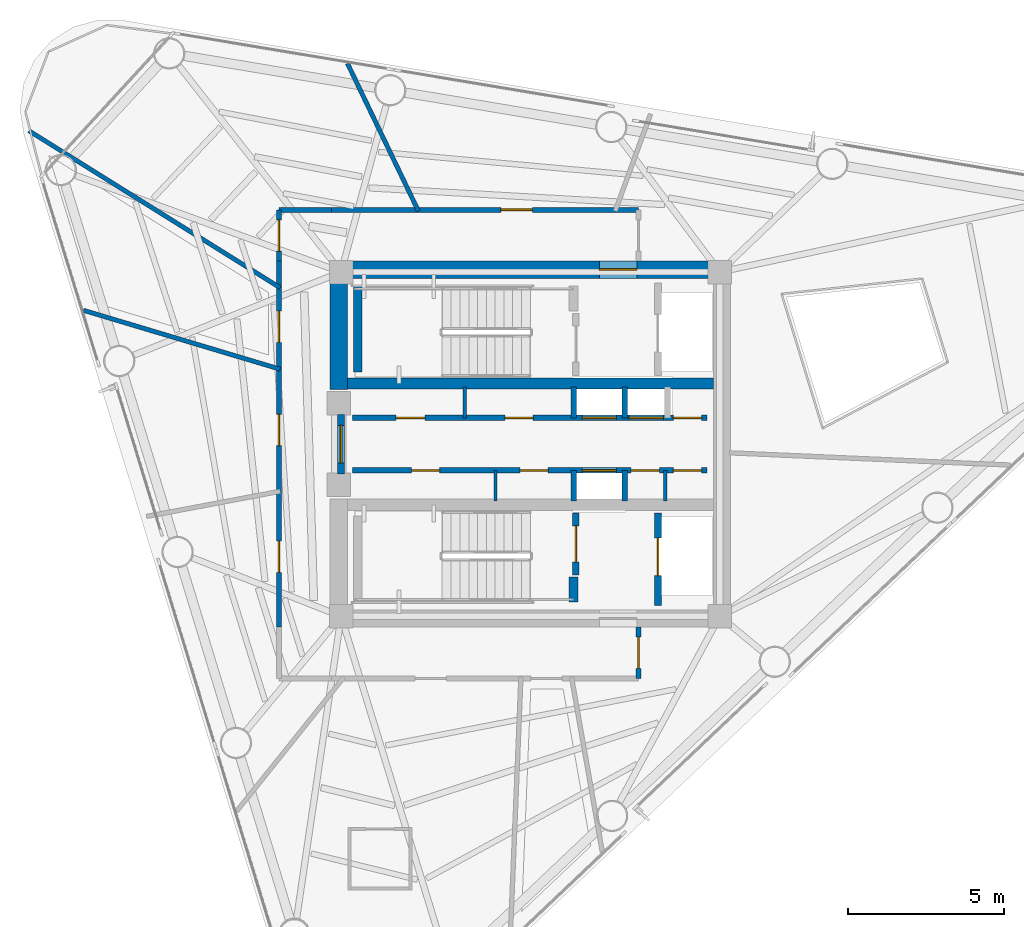
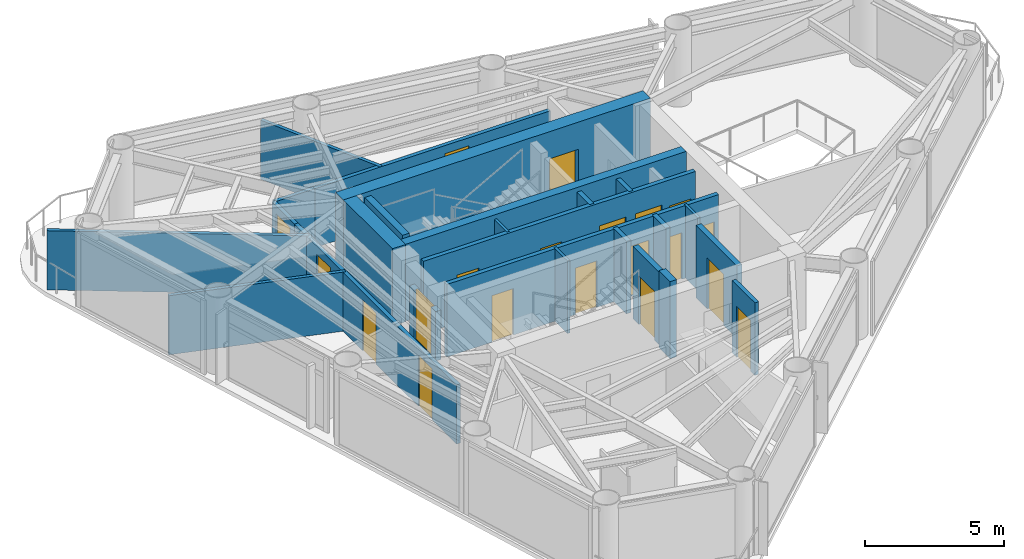
# One storey, part 5 of 9: 25 walls, 20 doors, 20 openings.
"""IFC4 building model written with IfcOpenShell, lengths in metres."""

from ifc_helpers import new_model, si_unit, direction, frame, frame_2d, origin, place, context, subcontext, project, spatial, rectangle, extrude, material, layer, layer_set, type_object, element, fill, save


model = new_model("IFC4")

# Units and contexts
model_context = context("Model", 3, precision=1e-05, world=origin(), true_north=direction((0.0, 1.0)))
body_context = subcontext(model_context, "Body", "Model", "MODEL_VIEW")
ifc_project = project(units=[si_unit("LENGTHUNIT", "METRE"), si_unit("AREAUNIT", "SQUARE_METRE"), si_unit("VOLUMEUNIT", "CUBIC_METRE"), si_unit("PLANEANGLEUNIT", "RADIAN"), si_unit("MASSUNIT", "GRAM", prefix="KILO")], contexts=[model_context])

# Site, building, storey
site_placement = place(None, origin())
site = spatial("IfcSite", under=ifc_project, at=site_placement, CompositionType="ELEMENT")
building_placement = place(site_placement, origin())
building = spatial("IfcBuilding", under=site, at=building_placement, Name="Yunling Apex Tower", CompositionType="ELEMENT")
storey_placement = place(building_placement, frame((0.0, 0.0, 245.64990234375)))
storey = spatial("IfcBuildingStorey", under=building, at=storey_placement, Name="L60", CompositionType="ELEMENT", Elevation=245.64990234375)

# Wall, opening, door
ifc_material_1 = material(Name="Concrete C40", Category="concrete")
ifc_layer_1 = layer(ifc_material_1, 0.550048828125)
ifc_layer_set_1 = layer_set([ifc_layer_1], Name="Concrete C40")
wall_type_1 = type_object("IfcWallType", Name="WL-COR-3", PredefinedType="SHEAR", material=ifc_layer_set_1)
wall_1_placement = place(storey_placement, frame((-6.39990234375, 5.574951171875, 0.0), z_axis=(0.0, 0.0, 1.0), x_axis=(1.0, 0.0, 0.0)))
wall_1 = element("IfcWall", 1, at=wall_1_placement, inside=storey, type_object=wall_type_1, Name="L60 North Core Shear Wall", PredefinedType="SHEAR", context=body_context, shape_type="SweptSolid", body=[
    extrude(rectangle(XDim=12.7998046875, YDim=0.550048828125, at=frame_2d((6.39990234375, 0.0))), origin(), (0.0, 0.0, 1.0), 3.400146484375),
])
opening_1_placement = place(wall_1_placement, frame((8.60009765625, 0.0, 0.0)))
opening_1 = element("IfcOpeningElement", 2, at=opening_1_placement, cuts=wall_1, Name="Opening DR-FFL-1", PredefinedType="OPENING", context=body_context, shape_type="SweptSolid", body=[
    extrude(rectangle(XDim=1.199951171875, YDim=2.199951171875, at=frame_2d((0.60009765625, 1.10009765625))), frame((0.0, 0.28515625, 0.0), z_axis=(0.0, -1.0, 0.0), x_axis=(1.0, 0.0, 0.0)), (0.0, 0.0, 1.0), 0.570068359375),
])
ifc_material_2 = material(Name="Steel Q355B", Category="steel")
door_type_1 = type_object("IfcDoorType", Name="DR-FFL-1", OperationType="NOTDEFINED", PredefinedType="DOOR", material=ifc_material_2)
door_1_placement = place(opening_1_placement, origin())
door_1 = element("IfcDoor", 3, at=door_1_placement, inside=storey, type_object=door_type_1, Name="L60 North Firefighting Lobby Door", OperationType="SINGLE_SWING_LEFT", OverallHeight=2.199951171875, OverallWidth=1.199951171875, PredefinedType="DOOR", context=body_context, shape_type="SweptSolid", body=[
    extrude(rectangle(XDim=1.199951171875, YDim=2.199951171875, at=frame_2d((0.60009765625, 1.10009765625))), frame((0.0, 0.02490234375, 0.0), z_axis=(0.0, -1.0, 0.0), x_axis=(1.0, 0.0, 0.0)), (0.0, 0.0, 1.0), 0.050048828125),
])
fill(opening_1, door_1)

# Walls
wall_2_placement = place(storey_placement, frame((-6.125, 1.75, 0.0), z_axis=(0.0, 0.0, 1.0), x_axis=(0.0, 1.0, 0.0)))
element("IfcWall", 4, at=wall_2_placement, inside=storey, type_object=wall_type_1, Name="L60 West-North Core Shear Wall", PredefinedType="SHEAR", context=body_context, shape_type="SweptSolid", body=[
    extrude(rectangle(XDim=3.550048828125, YDim=0.550048828125, at=frame_2d((1.77490234375, 0.0))), origin(), (0.0, 0.0, 1.0), 3.400146484375),
])
ifc_layer_2 = layer(ifc_material_1, 0.360107421875)
ifc_layer_set_2 = layer_set([ifc_layer_2], Name="Concrete C40")
wall_type_2 = type_object("IfcWallType", Name="WL-COR-4", PredefinedType="SHEAR", material=ifc_layer_set_2)
wall_3_placement = place(storey_placement, frame((-5.85009765625, 1.93994140625, 0.0), z_axis=(0.0, 0.0, 1.0), x_axis=(1.0, 0.0, 0.0)))
element("IfcWall", 5, at=wall_3_placement, inside=storey, type_object=wall_type_2, Name="L60 North Internal Core Shear Wall", PredefinedType="SHEAR", context=body_context, shape_type="SweptSolid", body=[
    extrude(rectangle(XDim=11.7001953125, YDim=0.360107421875, at=frame_2d((5.85009765625, 0.0))), origin(), (0.0, 0.0, 1.0), 3.400146484375),
])
ifc_layer_3 = layer(ifc_material_1, 0.280029296875)
ifc_layer_set_3 = layer_set([ifc_layer_3], Name="Concrete C40")
wall_type_3 = type_object("IfcWallType", Name="WL-COR-8", PredefinedType="SHEAR", material=ifc_layer_set_3)
wall_4_placement = place(storey_placement, frame((-5.52001953125, 2.300048828125, 0.0), z_axis=(0.0, 0.0, 1.0), x_axis=(0.0, 1.0, 0.0)))
element("IfcWall", 6, at=wall_4_placement, inside=storey, type_object=wall_type_3, Name="L60 ST-1 West Landing Bearing Wall", PredefinedType="SHEAR", context=body_context, shape_type="SweptSolid", body=[
    extrude(rectangle(XDim=2.75, YDim=0.280029296875, at=frame_2d((1.375, 0.0))), origin(), (0.0, 0.0, 1.0), 3.400146484375),
])
wall_5_placement = place(storey_placement, frame((1.3798828125, -5.050048828125, 0.0), z_axis=(0.0, 0.0, 1.0), x_axis=(0.0, 1.0, 0.0)))
element("IfcWall", 7, at=wall_5_placement, inside=storey, type_object=wall_type_3, Name="L60 ST-2 East Landing Bearing Pier", PredefinedType="SHEAR", context=body_context, shape_type="SweptSolid", body=[
    extrude(rectangle(XDim=0.800048828125, YDim=0.280029296875, at=frame_2d((0.39990234375, 0.0))), origin(), (0.0, 0.0, 1.0), 3.400146484375),
])

# Wall, opening, door
ifc_material_3 = material(Name="Gypsum board acoustic partition")
ifc_layer_4 = layer(ifc_material_3, 0.159912109375)
ifc_layer_set_4 = layer_set([ifc_layer_4], Name="Gypsum board acoustic partition")
wall_type_4 = type_object("IfcWallType", Name="WL-PRT-1", PredefinedType="PARTITIONING", material=ifc_layer_set_4)
wall_6_placement = place(storey_placement, frame((-8.0400390625, 5.85009765625, 0.0), z_axis=(0.0, 0.0, 1.0), x_axis=(0.0, 1.0, 0.0)))
wall_6 = element("IfcWall", 8, at=wall_6_placement, inside=storey, type_object=wall_type_4, Name="WL-CORR-L60-01", PredefinedType="PARTITIONING", context=body_context, shape_type="SweptSolid", body=[
    extrude(rectangle(XDim=1.639892578125, YDim=0.159912109375, at=frame_2d((0.81982421875, 0.0))), origin(), (0.0, 0.0, 1.0), 2.60498046875),
])
opening_2_placement = place(wall_6_placement, frame((0.320068359375, 0.0, 0.0)))
opening_2 = element("IfcOpeningElement", 9, at=opening_2_placement, cuts=wall_6, Name="Opening DR-OFF-1", PredefinedType="OPENING", context=body_context, shape_type="SweptSolid", body=[
    extrude(rectangle(XDim=1.0, YDim=2.25, at=frame_2d((0.5, 1.125))), frame((0.0, 0.08984375, 0.0), z_axis=(0.0, -1.0, 0.0), x_axis=(1.0, 0.0, 0.0)), (0.0, 0.0, 1.0), 0.179931640625),
])
ifc_material_4 = material(Name="Bronze anodised aluminium", Category="aluminium")
door_type_2 = type_object("IfcDoorType", Name="DR-OFF-1", OperationType="NOTDEFINED", PredefinedType="DOOR", material=ifc_material_4)
door_2_placement = place(opening_2_placement, origin())
door_2 = element("IfcDoor", 10, at=door_2_placement, inside=storey, type_object=door_type_2, Name="L60 Residents Quiet Study Lounge Door", OperationType="SINGLE_SWING_LEFT", OverallHeight=2.25, OverallWidth=1.0, PredefinedType="DOOR", context=body_context, shape_type="SweptSolid", body=[
    extrude(rectangle(XDim=1.0, YDim=2.25, at=frame_2d((0.5, 1.125))), frame((0.0, 0.02490234375, 0.0), z_axis=(0.0, -1.0, 0.0), x_axis=(1.0, 0.0, 0.0)), (0.0, 0.0, 1.0), 0.050048828125),
])
fill(opening_2, door_2)

# Wall
wall_7_placement = place(storey_placement, frame((-8.0400390625, 7.489990234375, 0.0), z_axis=(0.0, 0.0, 1.0), x_axis=(1.0, 0.0, 0.0)))
element("IfcWall", 11, at=wall_7_placement, inside=storey, type_object=wall_type_4, Name="WL-CORR-L60-02", PredefinedType="PARTITIONING", context=body_context, shape_type="SweptSolid", body=[
    extrude(rectangle(XDim=1.679931640625, YDim=0.159912109375, at=frame_2d((0.83984375, 0.0))), origin(), (0.0, 0.0, 1.0), 2.60498046875),
])

# Wall, opening, door
wall_8_placement = place(storey_placement, frame((-6.360107421875, 7.489990234375, 0.0), z_axis=(0.0, 0.0, 1.0), x_axis=(1.0, 0.0, 0.0)))
wall_8 = element("IfcWall", 12, at=wall_8_placement, inside=storey, type_object=wall_type_4, Name="WL-CORR-L60-03", PredefinedType="PARTITIONING", context=body_context, shape_type="SweptSolid", body=[
    extrude(rectangle(XDim=9.81005859375, YDim=0.159912109375, at=frame_2d((4.905029296875, 0.0))), origin(), (0.0, 0.0, 1.0), 2.60498046875),
])
opening_3_placement = place(wall_8_placement, frame((5.4189453125, 0.0, 0.0)))
opening_3 = element("IfcOpeningElement", 13, at=opening_3_placement, cuts=wall_8, Name="Opening DR-OFF-1", PredefinedType="OPENING", context=body_context, shape_type="SweptSolid", body=[
    extrude(rectangle(XDim=1.0, YDim=2.25, at=frame_2d((0.5, 1.125))), frame((0.0, 0.08984375, 0.0), z_axis=(0.0, -1.0, 0.0), x_axis=(1.0, 0.0, 0.0)), (0.0, 0.0, 1.0), 0.179931640625),
])
door_3_placement = place(opening_3_placement, origin())
door_3 = element("IfcDoor", 14, at=door_3_placement, inside=storey, type_object=door_type_2, Name="L60 Concierge Reception Foyer Door", OperationType="SINGLE_SWING_RIGHT", OverallHeight=2.25, OverallWidth=1.0, PredefinedType="DOOR", context=body_context, shape_type="SweptSolid", body=[
    extrude(rectangle(XDim=1.0, YDim=2.25, at=frame_2d((0.5, 1.125))), frame((0.0, 0.02490234375, 0.0), z_axis=(0.0, -1.0, 0.0), x_axis=(1.0, 0.0, 0.0)), (0.0, 0.0, 1.0), 0.050048828125),
])
fill(opening_3, door_3)

wall_9_placement = place(storey_placement, frame((3.449951171875, -5.85009765625, 0.0), z_axis=(0.0, 0.0, 1.0), x_axis=(0.0, -1.0, 0.0)))
wall_9 = element("IfcWall", 15, at=wall_9_placement, inside=storey, type_object=wall_type_4, Name="WL-CORR-L60-05", PredefinedType="PARTITIONING", context=body_context, shape_type="SweptSolid", body=[
    extrude(rectangle(XDim=1.639892578125, YDim=0.159912109375, at=frame_2d((0.81982421875, 0.0))), origin(), (0.0, 0.0, 1.0), 3.2001953125),
])
opening_4_placement = place(wall_9_placement, frame((0.320068359375, 0.0, 0.0)))
opening_4 = element("IfcOpeningElement", 16, at=opening_4_placement, cuts=wall_9, Name="Opening DR-OFF-1", PredefinedType="OPENING", context=body_context, shape_type="SweptSolid", body=[
    extrude(rectangle(XDim=1.0, YDim=2.25, at=frame_2d((0.5, 1.125))), frame((0.0, 0.08984375, 0.0), z_axis=(0.0, -1.0, 0.0), x_axis=(1.0, 0.0, 0.0)), (0.0, 0.0, 1.0), 0.179931640625),
])
door_4_placement = place(opening_4_placement, origin())
door_4 = element("IfcDoor", 17, at=door_4_placement, inside=storey, type_object=door_type_2, Name="L60 Concierge Reception Foyer Door", OperationType="SINGLE_SWING_RIGHT", OverallHeight=2.25, OverallWidth=1.0, PredefinedType="DOOR", context=body_context, shape_type="SweptSolid", body=[
    extrude(rectangle(XDim=1.0, YDim=2.25, at=frame_2d((0.5, 1.125))), frame((0.0, 0.02490234375, 0.0), z_axis=(0.0, -1.0, 0.0), x_axis=(1.0, 0.0, 0.0)), (0.0, 0.0, 1.0), 0.050048828125),
])
fill(opening_4, door_4)

# Wall, openings, doors
wall_10_placement = place(storey_placement, frame((-8.0400390625, -5.85009765625, 0.0), z_axis=(0.0, 0.0, 1.0), x_axis=(0.0, 1.0, 0.0)))
wall_10 = element("IfcWall", 18, at=wall_10_placement, inside=storey, type_object=wall_type_4, Name="WL-CORR-L60-09", PredefinedType="PARTITIONING", context=body_context, shape_type="SweptSolid", body=[
    extrude(rectangle(XDim=11.7001953125, YDim=0.159912109375, at=frame_2d((5.85009765625, 0.0))), origin(), (0.0, 0.0, 1.0), 2.60498046875),
])
opening_5_placement = place(wall_10_placement, frame((1.753662109375, 0.0, 0.0)))
opening_5 = element("IfcOpeningElement", 19, at=opening_5_placement, cuts=wall_10, Name="Opening DR-OFF-1", PredefinedType="OPENING", context=body_context, shape_type="SweptSolid", body=[
    extrude(rectangle(XDim=1.0, YDim=2.25, at=frame_2d((0.5, 1.125))), frame((0.0, 0.08984375, 0.0), z_axis=(0.0, -1.0, 0.0), x_axis=(1.0, 0.0, 0.0)), (0.0, 0.0, 1.0), 0.179931640625),
])
opening_6_placement = place(wall_10_placement, frame((5.7998046875, 0.0, 0.0)))
opening_6 = element("IfcOpeningElement", 20, at=opening_6_placement, cuts=wall_10, Name="Opening DR-OFF-1", PredefinedType="OPENING", context=body_context, shape_type="SweptSolid", body=[
    extrude(rectangle(XDim=1.0, YDim=2.25, at=frame_2d((0.5, 1.125))), frame((0.0, 0.08984375, 0.0), z_axis=(0.0, -1.0, 0.0), x_axis=(1.0, 0.0, 0.0)), (0.0, 0.0, 1.0), 0.179931640625),
])
opening_7_placement = place(wall_10_placement, frame((9.10302734375, 0.0, 0.0)))
opening_7 = element("IfcOpeningElement", 21, at=opening_7_placement, cuts=wall_10, Name="Opening DR-OFF-1", PredefinedType="OPENING", context=body_context, shape_type="SweptSolid", body=[
    extrude(rectangle(XDim=1.0, YDim=2.25, at=frame_2d((0.5, 1.125))), frame((0.0, 0.08984375, 0.0), z_axis=(0.0, -1.0, 0.0), x_axis=(1.0, 0.0, 0.0)), (0.0, 0.0, 1.0), 0.179931640625),
])
door_5_placement = place(opening_5_placement, origin())
door_5 = element("IfcDoor", 22, at=door_5_placement, inside=storey, type_object=door_type_2, Name="L60 Residents Quiet Study Lounge Door", OperationType="SINGLE_SWING_LEFT", OverallHeight=2.25, OverallWidth=1.0, PredefinedType="DOOR", context=body_context, shape_type="SweptSolid", body=[
    extrude(rectangle(XDim=1.0, YDim=2.25, at=frame_2d((0.5, 1.125))), frame((0.0, 0.02490234375, 0.0), z_axis=(0.0, -1.0, 0.0), x_axis=(1.0, 0.0, 0.0)), (0.0, 0.0, 1.0), 0.050048828125),
])
fill(opening_5, door_5)
door_6_placement = place(opening_6_placement, origin())
door_6 = element("IfcDoor", 23, at=door_6_placement, inside=storey, type_object=door_type_2, Name="L60 Residents Quiet Study Lounge Door", OperationType="SINGLE_SWING_RIGHT", OverallHeight=2.25, OverallWidth=1.0, PredefinedType="DOOR", context=body_context, shape_type="SweptSolid", body=[
    extrude(rectangle(XDim=1.0, YDim=2.25, at=frame_2d((0.5, 1.125))), frame((0.0, 0.02490234375, 0.0), z_axis=(0.0, -1.0, 0.0), x_axis=(1.0, 0.0, 0.0)), (0.0, 0.0, 1.0), 0.050048828125),
])
fill(opening_6, door_6)
door_7_placement = place(opening_7_placement, origin())
door_7 = element("IfcDoor", 24, at=door_7_placement, inside=storey, type_object=door_type_2, Name="L60 Concierge Reception Foyer Door", OperationType="SINGLE_SWING_LEFT", OverallHeight=2.25, OverallWidth=1.0, PredefinedType="DOOR", context=body_context, shape_type="SweptSolid", body=[
    extrude(rectangle(XDim=1.0, YDim=2.25, at=frame_2d((0.5, 1.125))), frame((0.0, 0.02490234375, 0.0), z_axis=(0.0, -1.0, 0.0), x_axis=(1.0, 0.0, 0.0)), (0.0, 0.0, 1.0), 0.050048828125),
])
fill(opening_7, door_7)

# Walls
ifc_layer_5 = layer(ifc_material_3, 0.139892578125)
ifc_layer_set_5 = layer_set([ifc_layer_5], Name="Gypsum board acoustic partition")
wall_type_5 = type_object("IfcWallType", Name="WL-PRT-2", PredefinedType="PARTITIONING", material=ifc_layer_set_5)
wall_11_placement = place(storey_placement, frame((-3.580078125, 7.449951171875, 0.0), z_axis=(0.0, 0.0, 1.0), x_axis=(-0.433107149182, 0.901342441765, 0.0)))
element("IfcWall", 25, at=wall_11_placement, inside=storey, type_object=wall_type_5, Name="WL-RAD-L60-03", PredefinedType="PARTITIONING", context=body_context, shape_type="SweptSolid", body=[
    extrude(rectangle(XDim=5.2333984375, YDim=0.139892578125, at=frame_2d((2.61669921875, 0.0))), origin(), (0.0, 0.0, 1.0), 2.60498046875),
])
wall_12_placement = place(storey_placement, frame((-8.0, 4.9990234375, 0.0), z_axis=(0.0, 0.0, 1.0), x_axis=(-0.848044679887, 0.529924731369, 0.0)))
element("IfcWall", 26, at=wall_12_placement, inside=storey, type_object=wall_type_5, Name="WL-RAD-L60-04", PredefinedType="PARTITIONING", context=body_context, shape_type="SweptSolid", body=[
    extrude(rectangle(XDim=9.46337890625, YDim=0.139892578125, at=frame_2d((4.731689453125, 0.0))), origin(), (0.0, 0.0, 1.0), 2.60498046875),
])
wall_13_placement = place(storey_placement, frame((-8.0, 2.39501953125, 0.0), z_axis=(0.0, 0.0, 1.0), x_axis=(-0.957987942155, 0.286808477361, 0.0)))
element("IfcWall", 27, at=wall_13_placement, inside=storey, type_object=wall_type_5, Name="WL-RAD-L60-05", PredefinedType="PARTITIONING", context=body_context, shape_type="SweptSolid", body=[
    extrude(rectangle(XDim=6.561279296875, YDim=0.139892578125, at=frame_2d((3.28076171875, 0.0))), origin(), (0.0, 0.0, 1.0), 2.60498046875),
])
ifc_layer_6 = layer(ifc_material_3, 0.10009765625)
ifc_layer_set_6 = layer_set([ifc_layer_6], Name="Gypsum board acoustic partition")
wall_type_6 = type_object("IfcWallType", Name="WL-PRT-4", PredefinedType="PARTITIONING", material=ifc_layer_set_6)
for number, where, z_axis, x_axis, name in (
    (28, (-2.10009765625, 0.840087890625, 0.0), (0.0, 0.0, 1.0), (0.0, 1.0, 0.0), "WL-RECLMC-N-L60"),
    (29, (-1.1201171875, -1.820068359375, 0.0), (0.0, 0.0, 1.0), (0.0, 1.0, 0.0), "WL-RECLMC-S-L60"),
    (30, (4.31005859375, -1.820068359375, 0.0), (0.0, 0.0, 1.0), (0.0, 1.0, 0.0), "WL-KCDIV-L60"),
):
    element("IfcWall", number, at=place(storey_placement, frame(where, z_axis=z_axis, x_axis=x_axis)), inside=storey, type_object=wall_type_6, Name=name, PredefinedType="PARTITIONING", context=body_context, shape_type="SweptSolid", body=[
        extrude(rectangle(XDim=0.97998046875, YDim=0.10009765625, at=frame_2d((0.489990234375, 0.0))), origin(), (0.0, 0.0, 1.0), 3.2001953125),
    ])

# Wall, opening, door
ifc_material_5 = material(Name="Autoclaved aerated concrete masonry", Category="masonry")
ifc_layer_7 = layer(ifc_material_5, 0.219970703125)
ifc_layer_set_7 = layer_set([ifc_layer_7], Name="Autoclaved aerated concrete masonry")
wall_type_7 = type_object("IfcWallType", Name="WL-SHF-1", PredefinedType="PLUMBINGWALL", material=ifc_layer_set_7)
wall_14_placement = place(storey_placement, frame((-6.050048828125, -0.949951171875, 0.0), z_axis=(0.0, 0.0, 1.0), x_axis=(0.0, 1.0, 0.0)))
wall_14 = element("IfcWall", 31, at=wall_14_placement, inside=storey, type_object=wall_type_7, Name="WL-COR-WPORT-L60", PredefinedType="PLUMBINGWALL", context=body_context, shape_type="SweptSolid", body=[
    extrude(rectangle(XDim=1.89990234375, YDim=0.219970703125, at=frame_2d((0.949951171875, 0.0))), origin(), (0.0, 0.0, 1.0), 2.18017578125),
])
opening_8_placement = place(wall_14_placement, frame((0.35009765625, 0.0, 0.0)))
opening_8 = element("IfcOpeningElement", 32, at=opening_8_placement, cuts=wall_14, Name="Opening DR-FFL-1", PredefinedType="OPENING", context=body_context, shape_type="SweptSolid", body=[
    extrude(rectangle(XDim=1.199951171875, YDim=2.199951171875, at=frame_2d((0.60009765625, 1.10009765625))), frame((0.0, 0.1201171875, 0.0), z_axis=(0.0, -1.0, 0.0), x_axis=(1.0, 0.0, 0.0)), (0.0, 0.0, 1.0), 0.239990234375),
])
door_8_placement = place(opening_8_placement, origin())
door_8 = element("IfcDoor", 33, at=door_8_placement, inside=storey, type_object=door_type_1, Name="L60 Passenger Lift Lobby Entrance Door", OperationType="SINGLE_SWING_RIGHT", OverallHeight=2.199951171875, OverallWidth=1.199951171875, PredefinedType="DOOR", context=body_context, shape_type="SweptSolid", body=[
    extrude(rectangle(XDim=1.199951171875, YDim=2.199951171875, at=frame_2d((0.60009765625, 1.10009765625))), frame((0.0, 0.02490234375, 0.0), z_axis=(0.0, -1.0, 0.0), x_axis=(1.0, 0.0, 0.0)), (0.0, 0.0, 1.0), 0.050048828125),
])
fill(opening_8, door_8)

wall_15_placement = place(storey_placement, frame((1.449951171875, -4.179931640625, 0.0), z_axis=(0.0, 0.0, 1.0), x_axis=(0.0, 1.0, 0.0)))
wall_15 = element("IfcWall", 34, at=wall_15_placement, inside=storey, type_object=wall_type_7, Name="WL-ST2-E-L60", PredefinedType="PLUMBINGWALL", context=body_context, shape_type="SweptSolid", body=[
    extrude(rectangle(XDim=1.97998046875, YDim=0.219970703125, at=frame_2d((0.989990234375, 0.0))), origin(), (0.0, 0.0, 1.0), 3.2001953125),
])
opening_9_placement = place(wall_15_placement, frame((0.419921875, 0.0, 0.0)))
opening_9 = element("IfcOpeningElement", 35, at=opening_9_placement, cuts=wall_15, Name="Opening DR-ST-1", PredefinedType="OPENING", context=body_context, shape_type="SweptSolid", body=[
    extrude(rectangle(XDim=1.14990234375, YDim=2.14990234375, at=frame_2d((0.574951171875, 1.074951171875))), frame((0.0, 0.1201171875, 0.0), z_axis=(0.0, -1.0, 0.0), x_axis=(1.0, 0.0, 0.0)), (0.0, 0.0, 1.0), 0.239990234375),
])
door_type_3 = type_object("IfcDoorType", Name="DR-ST-1", OperationType="NOTDEFINED", PredefinedType="DOOR", material=ifc_material_2)
door_9_placement = place(opening_9_placement, origin())
door_9 = element("IfcDoor", 36, at=door_9_placement, inside=storey, type_object=door_type_3, Name="L60 Stair ST-2 Fire Door", OperationType="SINGLE_SWING_RIGHT", OverallHeight=2.14990234375, OverallWidth=1.14990234375, PredefinedType="DOOR", context=body_context, shape_type="SweptSolid", body=[
    extrude(rectangle(XDim=1.14990234375, YDim=2.14990234375, at=frame_2d((0.574951171875, 1.074951171875))), frame((0.0, 0.02490234375, 0.0), z_axis=(0.0, -1.0, 0.0), x_axis=(1.0, 0.0, 0.0)), (0.0, 0.0, 1.0), 0.050048828125),
])
fill(opening_9, door_9)

wall_16_placement = place(storey_placement, frame((4.080078125, -5.14990234375, 0.0), z_axis=(0.0, 0.0, 1.0), x_axis=(0.0, 1.0, 0.0)))
wall_16 = element("IfcWall", 37, at=wall_16_placement, inside=storey, type_object=wall_type_7, Name="WL-FFL2-W-L60", PredefinedType="PLUMBINGWALL", context=body_context, shape_type="SweptSolid", body=[
    extrude(rectangle(XDim=2.949951171875, YDim=0.219970703125, at=frame_2d((1.47509765625, 0.0))), origin(), (0.0, 0.0, 1.0), 3.2001953125),
])
opening_10_placement = place(wall_16_placement, frame((0.949951171875, 0.0, 0.0)))
opening_10 = element("IfcOpeningElement", 38, at=opening_10_placement, cuts=wall_16, Name="Opening LD-FFL-1", PredefinedType="OPENING", context=body_context, shape_type="SweptSolid", body=[
    extrude(rectangle(XDim=1.199951171875, YDim=2.25, at=frame_2d((0.60009765625, 1.125))), frame((0.0, 0.1201171875, 0.0), z_axis=(0.0, -1.0, 0.0), x_axis=(1.0, 0.0, 0.0)), (0.0, 0.0, 1.0), 0.239990234375),
])
door_type_4 = type_object("IfcDoorType", Name="LD-FFL-1", OperationType="DOUBLE_DOOR_SLIDING", PredefinedType="DOOR", material=ifc_material_2)
door_10_placement = place(opening_10_placement, origin())
door_10 = element("IfcDoor", 39, at=door_10_placement, inside=storey, type_object=door_type_4, Name="L60 Lift FFL-2 Landing Door", OperationType="DOUBLE_DOOR_SLIDING", OverallHeight=2.25, OverallWidth=1.199951171875, PredefinedType="DOOR", context=body_context, shape_type="SweptSolid", body=[
    extrude(rectangle(XDim=1.199951171875, YDim=2.25, at=frame_2d((0.60009765625, 1.125))), frame((0.0, 0.02490234375, 0.0), z_axis=(0.0, -1.0, 0.0), x_axis=(1.0, 0.0, 0.0)), (0.0, 0.0, 1.0), 0.050048828125),
])
fill(opening_10, door_10)

# Walls
ifc_layer_8 = layer(ifc_material_5, 0.179931640625)
ifc_layer_set_8 = layer_set([ifc_layer_8], Name="Autoclaved aerated concrete masonry")
wall_type_8 = type_object("IfcWallType", Name="WL-SHF-2", PredefinedType="PLUMBINGWALL", material=ifc_layer_set_8)
for number, where, z_axis, x_axis, name in (
    (40, (1.3798828125, 0.840087890625, 0.0), (0.0, 0.0, 1.0), (0.0, 1.0, 0.0), "WL-BNK-MH-N-L60"),
    (41, (1.3798828125, -1.820068359375, 0.0), (0.0, 0.0, 1.0), (0.0, 1.0, 0.0), "WL-BNK-MH-S-L60"),
    (42, (3.02001953125, 0.840087890625, 0.0), (0.0, 0.0, 1.0), (0.0, 1.0, 0.0), "WL-DIV-H13-L60"),
    (43, (3.02001953125, -1.820068359375, 0.0), (0.0, 0.0, 1.0), (0.0, 1.0, 0.0), "WL-END-H2E-L60"),
):
    element("IfcWall", number, at=place(storey_placement, frame(where, z_axis=z_axis, x_axis=x_axis)), inside=storey, type_object=wall_type_8, Name=name, PredefinedType="PLUMBINGWALL", context=body_context, shape_type="SweptSolid", body=[
        extrude(rectangle(XDim=0.97998046875, YDim=0.179931640625, at=frame_2d((0.489990234375, 0.0))), origin(), (0.0, 0.0, 1.0), 3.2001953125),
    ])

# Wall, openings, doors
wall_17_placement = place(storey_placement, frame((-5.679931640625, 0.840087890625, 0.0), z_axis=(0.0, 0.0, 1.0), x_axis=(1.0, 0.0, 0.0)))
wall_17 = element("IfcWall", 44, at=wall_17_placement, inside=storey, type_object=wall_type_8, Name="WL-LOB-N-L60", PredefinedType="PLUMBINGWALL", context=body_context, shape_type="SweptSolid", body=[
    extrude(rectangle(XDim=11.329833984375, YDim=0.179931640625, at=frame_2d((5.6650390625, 0.0))), origin(), (0.0, 0.0, 1.0), 3.2001953125),
])
opening_11_placement = place(wall_17_placement, frame((1.389892578125, 0.0, 0.0)))
opening_11 = element("IfcOpeningElement", 45, at=opening_11_placement, cuts=wall_17, Name="Opening DR-WC-1", PredefinedType="OPENING", context=body_context, shape_type="SweptSolid", body=[
    extrude(rectangle(XDim=0.919921875, YDim=2.10009765625, at=frame_2d((0.4599609375, 1.050048828125))), frame((0.0, 0.10009765625, 0.0), z_axis=(0.0, -1.0, 0.0), x_axis=(1.0, 0.0, 0.0)), (0.0, 0.0, 1.0), 0.199951171875),
])
opening_12_placement = place(wall_17_placement, frame((4.8701171875, 0.0, 0.0)))
opening_12 = element("IfcOpeningElement", 46, at=opening_12_placement, cuts=wall_17, Name="Opening DR-SHF-1", PredefinedType="OPENING", context=body_context, shape_type="SweptSolid", body=[
    extrude(rectangle(XDim=0.89990234375, YDim=2.050048828125, at=frame_2d((0.449951171875, 1.02490234375))), frame((0.0, 0.10009765625, 0.0), z_axis=(0.0, -1.0, 0.0), x_axis=(1.0, 0.0, 0.0)), (0.0, 0.0, 1.0), 0.199951171875),
])
opening_13_placement = place(wall_17_placement, frame((7.330078125, 0.0, 0.0)))
opening_13 = element("IfcOpeningElement", 47, at=opening_13_placement, cuts=wall_17, Name="Opening LD-PAS-1", PredefinedType="OPENING", context=body_context, shape_type="SweptSolid", body=[
    extrude(rectangle(XDim=1.10009765625, YDim=2.199951171875, at=frame_2d((0.550048828125, 1.10009765625))), frame((0.0, 0.10009765625, 0.0), z_axis=(0.0, -1.0, 0.0), x_axis=(1.0, 0.0, 0.0)), (0.0, 0.0, 1.0), 0.199951171875),
])
opening_14_placement = place(wall_17_placement, frame((8.830078125, 0.0, 0.0)))
opening_14 = element("IfcOpeningElement", 48, at=opening_14_placement, cuts=wall_17, Name="Opening LD-PAS-1", PredefinedType="OPENING", context=body_context, shape_type="SweptSolid", body=[
    extrude(rectangle(XDim=1.10009765625, YDim=2.199951171875, at=frame_2d((0.550048828125, 1.10009765625))), frame((0.0, 0.10009765625, 0.0), z_axis=(0.0, -1.0, 0.0), x_axis=(1.0, 0.0, 0.0)), (0.0, 0.0, 1.0), 0.199951171875),
])
opening_15_placement = place(wall_17_placement, frame((10.25, 0.0, 0.0)))
opening_15 = element("IfcOpeningElement", 49, at=opening_15_placement, cuts=wall_17, Name="Opening DR-SHF-1", PredefinedType="OPENING", context=body_context, shape_type="SweptSolid", body=[
    extrude(rectangle(XDim=0.89990234375, YDim=2.050048828125, at=frame_2d((0.449951171875, 1.02490234375))), frame((0.0, 0.10009765625, 0.0), z_axis=(0.0, -1.0, 0.0), x_axis=(1.0, 0.0, 0.0)), (0.0, 0.0, 1.0), 0.199951171875),
])
door_type_5 = type_object("IfcDoorType", Name="DR-SHF-1", OperationType="NOTDEFINED", PredefinedType="DOOR", material=ifc_material_2)
door_11_placement = place(opening_12_placement, origin())
door_11 = element("IfcDoor", 50, at=door_11_placement, inside=storey, type_object=door_type_5, Name="L60 Electrical Plant Door", OperationType="SINGLE_SWING_RIGHT", OverallHeight=2.050048828125, OverallWidth=0.89990234375, PredefinedType="DOOR", context=body_context, shape_type="SweptSolid", body=[
    extrude(rectangle(XDim=0.89990234375, YDim=2.050048828125, at=frame_2d((0.449951171875, 1.02490234375))), frame((0.0, 0.02490234375, 0.0), z_axis=(0.0, -1.0, 0.0), x_axis=(1.0, 0.0, 0.0)), (0.0, 0.0, 1.0), 0.050048828125),
])
fill(opening_12, door_11)
door_12_placement = place(opening_15_placement, origin())
door_12 = element("IfcDoor", 51, at=door_12_placement, inside=storey, type_object=door_type_5, Name="L60 Floor Supply Store Door", OperationType="SINGLE_SWING_LEFT", OverallHeight=2.050048828125, OverallWidth=0.89990234375, PredefinedType="DOOR", context=body_context, shape_type="SweptSolid", body=[
    extrude(rectangle(XDim=0.89990234375, YDim=2.050048828125, at=frame_2d((0.449951171875, 1.02490234375))), frame((0.0, 0.02490234375, 0.0), z_axis=(0.0, -1.0, 0.0), x_axis=(1.0, 0.0, 0.0)), (0.0, 0.0, 1.0), 0.050048828125),
])
fill(opening_15, door_12)
ifc_material_6 = material(Name="Timber moisture-resistant leaf", Category="wood")
door_type_6 = type_object("IfcDoorType", Name="DR-WC-1", OperationType="NOTDEFINED", PredefinedType="DOOR", material=ifc_material_6)
door_13_placement = place(opening_11_placement, origin())
door_13 = element("IfcDoor", 52, at=door_13_placement, inside=storey, type_object=door_type_6, Name="L60 Staff WC Door", OperationType="SINGLE_SWING_LEFT", OverallHeight=2.10009765625, OverallWidth=0.919921875, PredefinedType="DOOR", context=body_context, shape_type="SweptSolid", body=[
    extrude(rectangle(XDim=0.919921875, YDim=2.10009765625, at=frame_2d((0.4599609375, 1.050048828125))), frame((0.0, 0.02490234375, 0.0), z_axis=(0.0, -1.0, 0.0), x_axis=(1.0, 0.0, 0.0)), (0.0, 0.0, 1.0), 0.050048828125),
])
fill(opening_11, door_13)
ifc_material_7 = material(Name="Silver anodised aluminium", Category="aluminium")
door_type_7 = type_object("IfcDoorType", Name="LD-PAS-1", OperationType="DOUBLE_DOOR_SLIDING", PredefinedType="DOOR", material=ifc_material_7)
door_14_placement = place(opening_13_placement, origin())
door_14 = element("IfcDoor", 53, at=door_14_placement, inside=storey, type_object=door_type_7, Name="L60 Lift PL-H1 Landing Door", OperationType="DOUBLE_DOOR_SLIDING", OverallHeight=2.199951171875, OverallWidth=1.10009765625, PredefinedType="DOOR", context=body_context, shape_type="SweptSolid", body=[
    extrude(rectangle(XDim=1.10009765625, YDim=2.199951171875, at=frame_2d((0.550048828125, 1.10009765625))), frame((0.0, 0.02490234375, 0.0), z_axis=(0.0, -1.0, 0.0), x_axis=(1.0, 0.0, 0.0)), (0.0, 0.0, 1.0), 0.050048828125),
])
fill(opening_13, door_14)
door_15_placement = place(opening_14_placement, origin())
door_15 = element("IfcDoor", 54, at=door_15_placement, inside=storey, type_object=door_type_7, Name="L60 Lift PL-H3 Landing Door", OperationType="DOUBLE_DOOR_SLIDING", OverallHeight=2.199951171875, OverallWidth=1.10009765625, PredefinedType="DOOR", context=body_context, shape_type="SweptSolid", body=[
    extrude(rectangle(XDim=1.10009765625, YDim=2.199951171875, at=frame_2d((0.550048828125, 1.10009765625))), frame((0.0, 0.02490234375, 0.0), z_axis=(0.0, -1.0, 0.0), x_axis=(1.0, 0.0, 0.0)), (0.0, 0.0, 1.0), 0.050048828125),
])
fill(opening_14, door_15)

wall_18_placement = place(storey_placement, frame((-5.679931640625, -0.840087890625, 0.0), z_axis=(0.0, 0.0, 1.0), x_axis=(1.0, 0.0, 0.0)))
wall_18 = element("IfcWall", 55, at=wall_18_placement, inside=storey, type_object=wall_type_8, Name="WL-LOB-S-L60", PredefinedType="PLUMBINGWALL", context=body_context, shape_type="SweptSolid", body=[
    extrude(rectangle(XDim=11.329833984375, YDim=0.179931640625, at=frame_2d((5.6650390625, 0.0))), origin(), (0.0, 0.0, 1.0), 3.2001953125),
])
opening_16_placement = place(wall_18_placement, frame((1.8798828125, 0.0, 0.0)))
opening_16 = element("IfcOpeningElement", 56, at=opening_16_placement, cuts=wall_18, Name="Opening DR-SHF-1", PredefinedType="OPENING", context=body_context, shape_type="SweptSolid", body=[
    extrude(rectangle(XDim=0.89990234375, YDim=2.050048828125, at=frame_2d((0.449951171875, 1.02490234375))), frame((0.0, 0.10009765625, 0.0), z_axis=(0.0, -1.0, 0.0), x_axis=(1.0, 0.0, 0.0)), (0.0, 0.0, 1.0), 0.199951171875),
])
opening_17_placement = place(wall_18_placement, frame((5.35009765625, 0.0, 0.0)))
opening_17 = element("IfcOpeningElement", 57, at=opening_17_placement, cuts=wall_18, Name="Opening DR-SHF-1", PredefinedType="OPENING", context=body_context, shape_type="SweptSolid", body=[
    extrude(rectangle(XDim=0.89990234375, YDim=2.050048828125, at=frame_2d((0.449951171875, 1.02490234375))), frame((0.0, 0.10009765625, 0.0), z_axis=(0.0, -1.0, 0.0), x_axis=(1.0, 0.0, 0.0)), (0.0, 0.0, 1.0), 0.199951171875),
])
opening_18_placement = place(wall_18_placement, frame((7.330078125, 0.0, 0.0)))
opening_18 = element("IfcOpeningElement", 58, at=opening_18_placement, cuts=wall_18, Name="Opening LD-PAS-1", PredefinedType="OPENING", context=body_context, shape_type="SweptSolid", body=[
    extrude(rectangle(XDim=1.10009765625, YDim=2.199951171875, at=frame_2d((0.550048828125, 1.10009765625))), frame((0.0, 0.10009765625, 0.0), z_axis=(0.0, -1.0, 0.0), x_axis=(1.0, 0.0, 0.0)), (0.0, 0.0, 1.0), 0.199951171875),
])
opening_19_placement = place(wall_18_placement, frame((8.89990234375, 0.0, 0.0)))
opening_19 = element("IfcOpeningElement", 59, at=opening_19_placement, cuts=wall_18, Name="Opening DR-SHF-1", PredefinedType="OPENING", context=body_context, shape_type="SweptSolid", body=[
    extrude(rectangle(XDim=0.89990234375, YDim=2.050048828125, at=frame_2d((0.449951171875, 1.02490234375))), frame((0.0, 0.10009765625, 0.0), z_axis=(0.0, -1.0, 0.0), x_axis=(1.0, 0.0, 0.0)), (0.0, 0.0, 1.0), 0.199951171875),
])
opening_20_placement = place(wall_18_placement, frame((10.25, 0.0, 0.0)))
opening_20 = element("IfcOpeningElement", 60, at=opening_20_placement, cuts=wall_18, Name="Opening DR-SHF-1", PredefinedType="OPENING", context=body_context, shape_type="SweptSolid", body=[
    extrude(rectangle(XDim=0.89990234375, YDim=2.050048828125, at=frame_2d((0.449951171875, 1.02490234375))), frame((0.0, 0.10009765625, 0.0), z_axis=(0.0, -1.0, 0.0), x_axis=(1.0, 0.0, 0.0)), (0.0, 0.0, 1.0), 0.199951171875),
])
door_16_placement = place(opening_16_placement, origin())
door_16 = element("IfcDoor", 61, at=door_16_placement, inside=storey, type_object=door_type_5, Name="L60 Luggage Store Door", OperationType="SINGLE_SWING_RIGHT", OverallHeight=2.050048828125, OverallWidth=0.89990234375, PredefinedType="DOOR", context=body_context, shape_type="SweptSolid", body=[
    extrude(rectangle(XDim=0.89990234375, YDim=2.050048828125, at=frame_2d((0.449951171875, 1.02490234375))), frame((0.0, 0.02490234375, 0.0), z_axis=(0.0, -1.0, 0.0), x_axis=(1.0, 0.0, 0.0)), (0.0, 0.0, 1.0), 0.050048828125),
])
fill(opening_16, door_16)
door_17_placement = place(opening_17_placement, origin())
door_17 = element("IfcDoor", 62, at=door_17_placement, inside=storey, type_object=door_type_5, Name="L60 Booster Plant Door", OperationType="SINGLE_SWING_LEFT", OverallHeight=2.050048828125, OverallWidth=0.89990234375, PredefinedType="DOOR", context=body_context, shape_type="SweptSolid", body=[
    extrude(rectangle(XDim=0.89990234375, YDim=2.050048828125, at=frame_2d((0.449951171875, 1.02490234375))), frame((0.0, 0.02490234375, 0.0), z_axis=(0.0, -1.0, 0.0), x_axis=(1.0, 0.0, 0.0)), (0.0, 0.0, 1.0), 0.050048828125),
])
fill(opening_17, door_17)
door_18_placement = place(opening_19_placement, origin())
door_18 = element("IfcDoor", 63, at=door_18_placement, inside=storey, type_object=door_type_5, Name="L60 LV Closet Door", OperationType="SINGLE_SWING_RIGHT", OverallHeight=2.050048828125, OverallWidth=0.89990234375, PredefinedType="DOOR", context=body_context, shape_type="SweptSolid", body=[
    extrude(rectangle(XDim=0.89990234375, YDim=2.050048828125, at=frame_2d((0.449951171875, 1.02490234375))), frame((0.0, 0.02490234375, 0.0), z_axis=(0.0, -1.0, 0.0), x_axis=(1.0, 0.0, 0.0)), (0.0, 0.0, 1.0), 0.050048828125),
])
fill(opening_19, door_18)
door_19_placement = place(opening_20_placement, origin())
door_19 = element("IfcDoor", 64, at=door_19_placement, inside=storey, type_object=door_type_5, Name="L60 Standpipe Closet Door", OperationType="SINGLE_SWING_LEFT", OverallHeight=2.050048828125, OverallWidth=0.89990234375, PredefinedType="DOOR", context=body_context, shape_type="SweptSolid", body=[
    extrude(rectangle(XDim=0.89990234375, YDim=2.050048828125, at=frame_2d((0.449951171875, 1.02490234375))), frame((0.0, 0.02490234375, 0.0), z_axis=(0.0, -1.0, 0.0), x_axis=(1.0, 0.0, 0.0)), (0.0, 0.0, 1.0), 0.050048828125),
])
fill(opening_20, door_19)
door_20_placement = place(opening_18_placement, origin())
door_20 = element("IfcDoor", 65, at=door_20_placement, inside=storey, type_object=door_type_7, Name="L60 Lift PL-H2 Landing Door", OperationType="DOUBLE_DOOR_SLIDING", OverallHeight=2.199951171875, OverallWidth=1.10009765625, PredefinedType="DOOR", context=body_context, shape_type="SweptSolid", body=[
    extrude(rectangle(XDim=1.10009765625, YDim=2.199951171875, at=frame_2d((0.550048828125, 1.10009765625))), frame((0.0, 0.02490234375, 0.0), z_axis=(0.0, -1.0, 0.0), x_axis=(1.0, 0.0, 0.0)), (0.0, 0.0, 1.0), 0.050048828125),
])
fill(opening_18, door_20)

save(model, "model.ifc")
